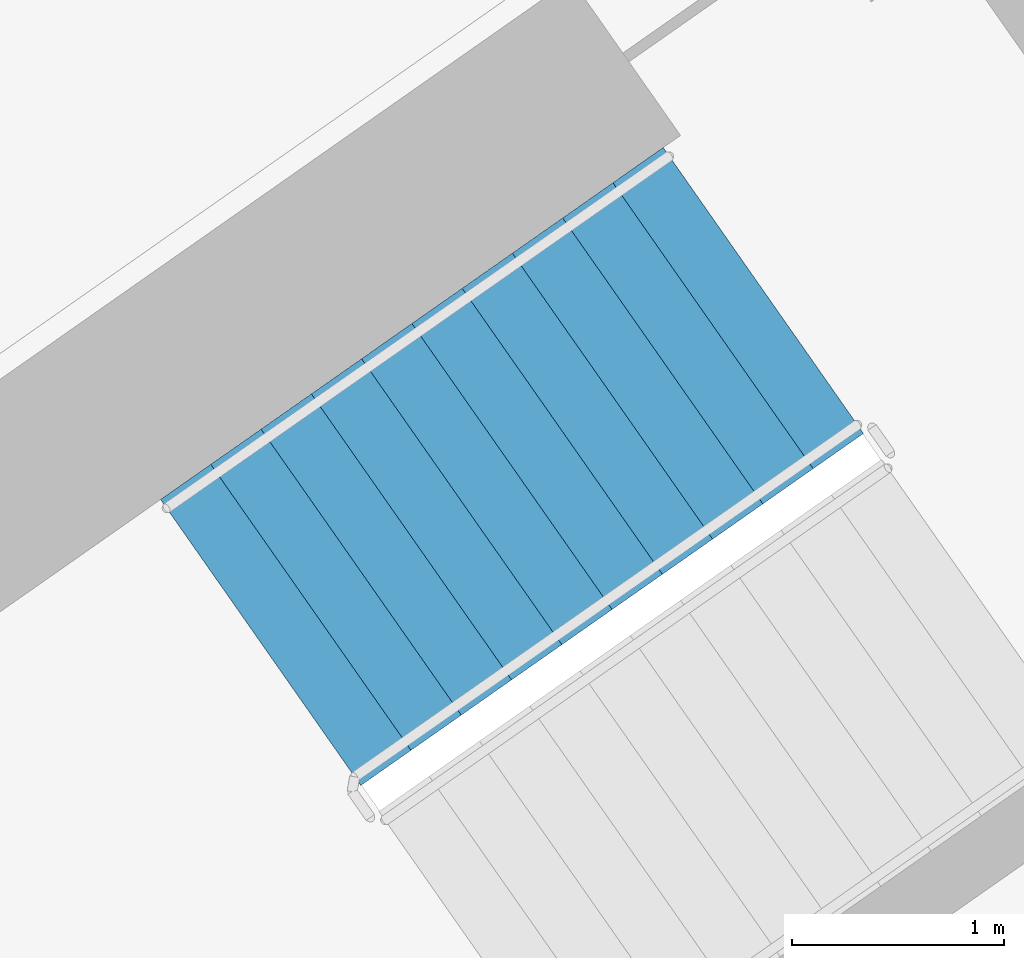
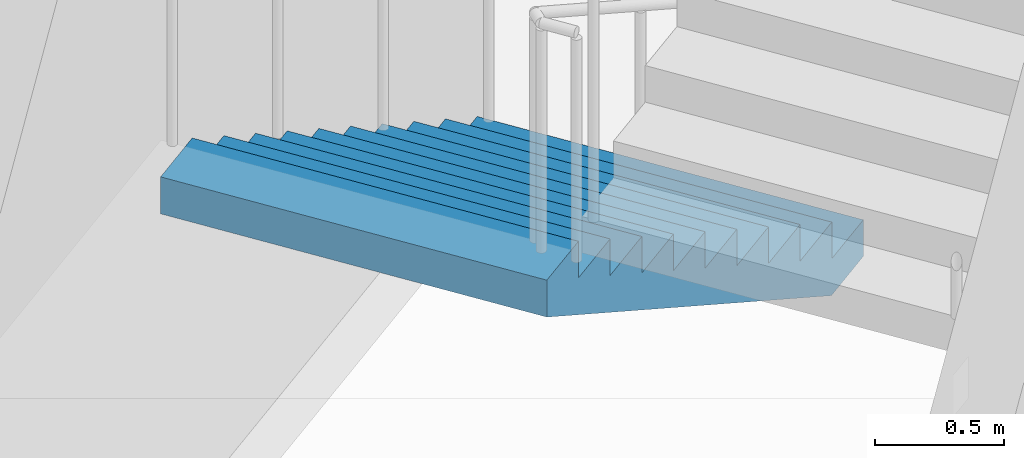
# One storey, part 15 of 29: 1 stair flight, 1 element without a shape of its own.
"""IFC4 building model written with IfcOpenShell, lengths in metres."""

from ifc_helpers import new_model, si_unit, direction, frame, origin, place, context, subcontext, project, spatial, faceted_brep, material, type_object, element, aggregate, save


model = new_model("IFC4")

# Units and contexts
model_context = context("Model", 3, precision=1e-05, world=origin(), true_north=direction((0.0, 1.0)))
body_context = subcontext(model_context, "Body", "Model", "MODEL_VIEW")
ifc_project = project(units=[si_unit("LENGTHUNIT", "METRE"), si_unit("AREAUNIT", "SQUARE_METRE"), si_unit("VOLUMEUNIT", "CUBIC_METRE"), si_unit("PLANEANGLEUNIT", "RADIAN"), si_unit("MASSUNIT", "GRAM", prefix="KILO")], contexts=[model_context])

# Site, building, storey
site_placement = place(None, origin())
site = spatial("IfcSite", under=ifc_project, at=site_placement, CompositionType="ELEMENT")
building_placement = place(site_placement, origin())
building = spatial("IfcBuilding", under=site, at=building_placement, Name="Qamariyya Broadcast Tower", CompositionType="ELEMENT")
storey_placement = place(building_placement, frame((0.0, 0.0, 106.300048828125)))
storey = spatial("IfcBuildingStorey", under=building, at=storey_placement, Name="L23", CompositionType="ELEMENT", Elevation=106.300048828125)

# Stair, stair flight
ifc_material = material(Name="Concrete C50/60", Category="concrete")
stair_type = type_object("IfcStairType", Name="Exit stair 22 risers of 173 mm", PredefinedType="HALF_TURN_STAIR", material=ifc_material)
stair_placement = place(storey_placement, origin())
stair = element("IfcStair", 1, at=stair_placement, inside=storey, type_object=stair_type, Name="L23 Stair E2", PredefinedType="HALF_TURN_STAIR")
stair_flight_type = type_object("IfcStairFlightType", Name="Exit stair flight 11 risers of 173 mm", PredefinedType="STRAIGHT", material=ifc_material)
stair_flight_placement = place(storey_placement, frame((40.558837890625, -47.685302734375, 0.0), z_axis=(0.0, 0.0, 1.0), x_axis=(-0.819152044289, -0.573576436351, 0.0)))
stair_flight = element("IfcStairFlight", 2, at=stair_flight_placement, type_object=stair_flight_type, Name="ST-E2 flight 1", NumberOfRisers=11, NumberOfTreads=10, PredefinedType="STRAIGHT", RiserHeight=0.172727273, TreadLength=0.29, context=body_context, shape_type="Brep", body=[
    faceted_brep([(0.0, 0.824951171875, 0.0), (0.0, 0.824951171875, 0.172607421875), (0.2900390625, 0.824951171875, 0.172607421875), (0.2900390625, 0.824951171875, 0.345458984375), (0.580078125, 0.824951171875, 0.345458984375), (0.580078125, 0.824951171875, 0.51806640625), (0.8701171875, 0.824951171875, 0.51806640625), (0.8701171875, 0.824951171875, 0.69091796875), (1.159912109375, 0.824951171875, 0.69091796875), (1.159912109375, 0.824951171875, 0.863525390625), (1.449951171875, 0.824951171875, 0.863525390625), (1.449951171875, 0.824951171875, 1.036376953125), (1.739990234375, 0.824951171875, 1.036376953125), (1.739990234375, 0.824951171875, 1.208984375), (2.030029296875, 0.824951171875, 1.208984375), (2.030029296875, 0.824951171875, 1.3818359375), (2.320068359375, 0.824951171875, 1.3818359375), (2.320068359375, 0.824951171875, 1.554443359375), (2.610107421875, 0.824951171875, 1.554443359375), (2.610107421875, 0.824951171875, 1.727294921875), (2.89990234375, 0.824951171875, 1.727294921875), (2.89990234375, 0.824951171875, 1.552734375), (0.29296875, 0.824951171875, 0.0), (0.29296875, -0.824951171875, 0.0), (2.89990234375, -0.824951171875, 1.552734375), (2.89990234375, -0.824951171875, 1.727294921875), (2.610107421875, -0.824951171875, 1.727294921875), (2.610107421875, -0.824951171875, 1.554443359375), (2.320068359375, -0.824951171875, 1.554443359375), (2.320068359375, -0.824951171875, 1.3818359375), (2.030029296875, -0.824951171875, 1.3818359375), (2.030029296875, -0.824951171875, 1.208984375), (1.739990234375, -0.824951171875, 1.208984375), (1.739990234375, -0.824951171875, 1.036376953125), (1.449951171875, -0.824951171875, 1.036376953125), (1.449951171875, -0.824951171875, 0.863525390625), (1.159912109375, -0.824951171875, 0.863525390625), (1.159912109375, -0.824951171875, 0.69091796875), (0.8701171875, -0.824951171875, 0.69091796875), (0.8701171875, -0.824951171875, 0.51806640625), (0.580078125, -0.824951171875, 0.51806640625), (0.580078125, -0.824951171875, 0.345458984375), (0.2900390625, -0.824951171875, 0.345458984375), (0.2900390625, -0.824951171875, 0.172607421875), (0.0, -0.824951171875, 0.172607421875), (0.0, -0.824951171875, 0.0), (0.0, 0.10009765625, 0.0), (0.0, 0.086669921875, 0.0), (0.0, 0.0732421875, 0.0), (0.0, 0.06005859375, 0.0), (0.0, 0.046630859375, 0.0), (0.0, 0.033447265625, 0.0), (0.0, 0.02001953125, 0.0), (0.0, 0.006591796875, 0.0), (0.0, -0.006591796875, 0.0), (0.0, -0.02001953125, 0.0), (0.0, -0.033447265625, 0.0), (0.0, -0.046630859375, 0.0), (0.0, -0.06005859375, 0.0), (0.0, -0.0732421875, 0.0), (0.0, -0.086669921875, 0.0), (0.0, -0.10009765625, 0.0), (0.0, -0.10009765625, 0.172607421875), (0.0, -0.086669921875, 0.172607421875), (0.0, -0.0732421875, 0.172607421875), (0.0, -0.06005859375, 0.172607421875), (0.0, -0.046630859375, 0.172607421875), (0.0, -0.033447265625, 0.172607421875), (0.0, -0.02001953125, 0.172607421875), (0.0, -0.006591796875, 0.172607421875), (0.0, 0.006591796875, 0.172607421875), (0.0, 0.02001953125, 0.172607421875), (0.0, 0.033447265625, 0.172607421875), (0.0, 0.046630859375, 0.172607421875), (0.0, 0.06005859375, 0.172607421875), (0.0, 0.0732421875, 0.172607421875), (0.0, 0.086669921875, 0.172607421875), (0.0, 0.10009765625, 0.172607421875), (0.2900390625, -0.10009765625, 0.172607421875), (0.2900390625, -0.086669921875, 0.172607421875), (0.2900390625, -0.0732421875, 0.172607421875), (0.2900390625, -0.06005859375, 0.172607421875), (0.2900390625, -0.046630859375, 0.172607421875), (0.2900390625, -0.033447265625, 0.172607421875), (0.2900390625, -0.02001953125, 0.172607421875), (0.2900390625, -0.006591796875, 0.172607421875), (0.2900390625, 0.006591796875, 0.172607421875), (0.2900390625, 0.02001953125, 0.172607421875), (0.2900390625, 0.033447265625, 0.172607421875), (0.2900390625, 0.046630859375, 0.172607421875), (0.2900390625, 0.06005859375, 0.172607421875), (0.2900390625, 0.0732421875, 0.172607421875), (0.2900390625, 0.086669921875, 0.172607421875), (0.2900390625, 0.10009765625, 0.172607421875), (0.2900390625, -0.10009765625, 0.345458984375), (0.2900390625, -0.086669921875, 0.345458984375), (0.2900390625, -0.0732421875, 0.345458984375), (0.2900390625, -0.06005859375, 0.345458984375), (0.2900390625, -0.046630859375, 0.345458984375), (0.2900390625, -0.033447265625, 0.345458984375), (0.2900390625, -0.02001953125, 0.345458984375), (0.2900390625, -0.006591796875, 0.345458984375), (0.2900390625, 0.006591796875, 0.345458984375), (0.2900390625, 0.02001953125, 0.345458984375), (0.2900390625, 0.033447265625, 0.345458984375), (0.2900390625, 0.046630859375, 0.345458984375), (0.2900390625, 0.06005859375, 0.345458984375), (0.2900390625, 0.0732421875, 0.345458984375), (0.2900390625, 0.086669921875, 0.345458984375), (0.2900390625, 0.10009765625, 0.345458984375), (0.580078125, -0.10009765625, 0.345458984375), (0.580078125, -0.086669921875, 0.345458984375), (0.580078125, -0.0732421875, 0.345458984375), (0.580078125, -0.06005859375, 0.345458984375), (0.580078125, -0.046630859375, 0.345458984375), (0.580078125, -0.033447265625, 0.345458984375), (0.580078125, -0.02001953125, 0.345458984375), (0.580078125, -0.006591796875, 0.345458984375), (0.580078125, 0.006591796875, 0.345458984375), (0.580078125, 0.02001953125, 0.345458984375), (0.580078125, 0.033447265625, 0.345458984375), (0.580078125, 0.046630859375, 0.345458984375), (0.580078125, 0.06005859375, 0.345458984375), (0.580078125, 0.0732421875, 0.345458984375), (0.580078125, 0.086669921875, 0.345458984375), (0.580078125, 0.10009765625, 0.345458984375), (0.580078125, -0.10009765625, 0.51806640625), (0.580078125, -0.086669921875, 0.51806640625), (0.580078125, -0.0732421875, 0.51806640625), (0.580078125, -0.06005859375, 0.51806640625), (0.580078125, -0.046630859375, 0.51806640625), (0.580078125, -0.033447265625, 0.51806640625), (0.580078125, -0.02001953125, 0.51806640625), (0.580078125, -0.006591796875, 0.51806640625), (0.580078125, 0.006591796875, 0.51806640625), (0.580078125, 0.02001953125, 0.51806640625), (0.580078125, 0.033447265625, 0.51806640625), (0.580078125, 0.046630859375, 0.51806640625), (0.580078125, 0.06005859375, 0.51806640625), (0.580078125, 0.0732421875, 0.51806640625), (0.580078125, 0.086669921875, 0.51806640625), (0.580078125, 0.10009765625, 0.51806640625), (0.8701171875, -0.10009765625, 0.51806640625), (0.8701171875, -0.086669921875, 0.51806640625), (0.8701171875, -0.0732421875, 0.51806640625), (0.8701171875, -0.06005859375, 0.51806640625), (0.8701171875, -0.046630859375, 0.51806640625), (0.8701171875, -0.033447265625, 0.51806640625), (0.8701171875, -0.02001953125, 0.51806640625), (0.8701171875, -0.006591796875, 0.51806640625), (0.8701171875, 0.006591796875, 0.51806640625), (0.8701171875, 0.02001953125, 0.51806640625), (0.8701171875, 0.033447265625, 0.51806640625), (0.8701171875, 0.046630859375, 0.51806640625), (0.8701171875, 0.06005859375, 0.51806640625), (0.8701171875, 0.0732421875, 0.51806640625), (0.8701171875, 0.086669921875, 0.51806640625), (0.8701171875, 0.10009765625, 0.51806640625), (0.8701171875, -0.10009765625, 0.69091796875), (0.8701171875, -0.086669921875, 0.69091796875), (0.8701171875, -0.0732421875, 0.69091796875), (0.8701171875, -0.06005859375, 0.69091796875), (0.8701171875, -0.046630859375, 0.69091796875), (0.8701171875, -0.033447265625, 0.69091796875), (0.8701171875, -0.02001953125, 0.69091796875), (0.8701171875, -0.006591796875, 0.69091796875), (0.8701171875, 0.006591796875, 0.69091796875), (0.8701171875, 0.02001953125, 0.69091796875), (0.8701171875, 0.033447265625, 0.69091796875), (0.8701171875, 0.046630859375, 0.69091796875), (0.8701171875, 0.06005859375, 0.69091796875), (0.8701171875, 0.0732421875, 0.69091796875), (0.8701171875, 0.086669921875, 0.69091796875), (0.8701171875, 0.10009765625, 0.69091796875), (1.159912109375, -0.10009765625, 0.69091796875), (1.159912109375, -0.086669921875, 0.69091796875), (1.159912109375, -0.0732421875, 0.69091796875), (1.159912109375, -0.06005859375, 0.69091796875), (1.159912109375, -0.046630859375, 0.69091796875), (1.159912109375, -0.033447265625, 0.69091796875), (1.159912109375, -0.02001953125, 0.69091796875), (1.159912109375, -0.006591796875, 0.69091796875), (1.159912109375, 0.006591796875, 0.69091796875), (1.159912109375, 0.02001953125, 0.69091796875), (1.159912109375, 0.033447265625, 0.69091796875), (1.159912109375, 0.046630859375, 0.69091796875), (1.159912109375, 0.06005859375, 0.69091796875), (1.159912109375, 0.0732421875, 0.69091796875), (1.159912109375, 0.086669921875, 0.69091796875), (1.159912109375, 0.10009765625, 0.69091796875), (1.159912109375, -0.10009765625, 0.863525390625), (1.159912109375, -0.086669921875, 0.863525390625), (1.159912109375, -0.0732421875, 0.863525390625), (1.159912109375, -0.06005859375, 0.863525390625), (1.159912109375, -0.046630859375, 0.863525390625), (1.159912109375, -0.033447265625, 0.863525390625), (1.159912109375, -0.02001953125, 0.863525390625), (1.159912109375, -0.006591796875, 0.863525390625), (1.159912109375, 0.006591796875, 0.863525390625), (1.159912109375, 0.02001953125, 0.863525390625), (1.159912109375, 0.033447265625, 0.863525390625), (1.159912109375, 0.046630859375, 0.863525390625), (1.159912109375, 0.06005859375, 0.863525390625), (1.159912109375, 0.0732421875, 0.863525390625), (1.159912109375, 0.086669921875, 0.863525390625), (1.159912109375, 0.10009765625, 0.863525390625), (1.449951171875, -0.10009765625, 0.863525390625), (1.449951171875, -0.086669921875, 0.863525390625), (1.449951171875, -0.0732421875, 0.863525390625), (1.449951171875, -0.06005859375, 0.863525390625), (1.449951171875, -0.046630859375, 0.863525390625), (1.449951171875, -0.033447265625, 0.863525390625), (1.449951171875, -0.02001953125, 0.863525390625), (1.449951171875, -0.006591796875, 0.863525390625), (1.449951171875, 0.006591796875, 0.863525390625), (1.449951171875, 0.02001953125, 0.863525390625), (1.449951171875, 0.033447265625, 0.863525390625), (1.449951171875, 0.046630859375, 0.863525390625), (1.449951171875, 0.06005859375, 0.863525390625), (1.449951171875, 0.0732421875, 0.863525390625), (1.449951171875, 0.086669921875, 0.863525390625), (1.449951171875, 0.10009765625, 0.863525390625), (1.449951171875, -0.10009765625, 1.036376953125), (1.449951171875, -0.086669921875, 1.036376953125), (1.449951171875, -0.0732421875, 1.036376953125), (1.449951171875, -0.06005859375, 1.036376953125), (1.449951171875, -0.046630859375, 1.036376953125), (1.449951171875, -0.033447265625, 1.036376953125), (1.449951171875, -0.02001953125, 1.036376953125), (1.449951171875, -0.006591796875, 1.036376953125), (1.449951171875, 0.006591796875, 1.036376953125), (1.449951171875, 0.02001953125, 1.036376953125), (1.449951171875, 0.033447265625, 1.036376953125), (1.449951171875, 0.046630859375, 1.036376953125), (1.449951171875, 0.06005859375, 1.036376953125), (1.449951171875, 0.0732421875, 1.036376953125), (1.449951171875, 0.086669921875, 1.036376953125), (1.449951171875, 0.10009765625, 1.036376953125), (1.739990234375, -0.10009765625, 1.036376953125), (1.739990234375, -0.086669921875, 1.036376953125), (1.739990234375, -0.0732421875, 1.036376953125), (1.739990234375, -0.06005859375, 1.036376953125), (1.739990234375, -0.046630859375, 1.036376953125), (1.739990234375, -0.033447265625, 1.036376953125), (1.739990234375, -0.02001953125, 1.036376953125), (1.739990234375, -0.006591796875, 1.036376953125), (1.739990234375, 0.006591796875, 1.036376953125), (1.739990234375, 0.02001953125, 1.036376953125), (1.739990234375, 0.033447265625, 1.036376953125), (1.739990234375, 0.046630859375, 1.036376953125), (1.739990234375, 0.06005859375, 1.036376953125), (1.739990234375, 0.0732421875, 1.036376953125), (1.739990234375, 0.086669921875, 1.036376953125), (1.739990234375, 0.10009765625, 1.036376953125), (1.739990234375, -0.10009765625, 1.208984375), (1.739990234375, -0.086669921875, 1.208984375), (1.739990234375, -0.0732421875, 1.208984375), (1.739990234375, -0.06005859375, 1.208984375), (1.739990234375, -0.046630859375, 1.208984375), (1.739990234375, -0.033447265625, 1.208984375), (1.739990234375, -0.02001953125, 1.208984375), (1.739990234375, -0.006591796875, 1.208984375), (1.739990234375, 0.006591796875, 1.208984375), (1.739990234375, 0.02001953125, 1.208984375), (1.739990234375, 0.033447265625, 1.208984375), (1.739990234375, 0.046630859375, 1.208984375), (1.739990234375, 0.06005859375, 1.208984375), (1.739990234375, 0.0732421875, 1.208984375), (1.739990234375, 0.086669921875, 1.208984375), (1.739990234375, 0.10009765625, 1.208984375), (2.030029296875, -0.10009765625, 1.208984375), (2.030029296875, -0.086669921875, 1.208984375), (2.030029296875, -0.0732421875, 1.208984375), (2.030029296875, -0.06005859375, 1.208984375), (2.030029296875, -0.046630859375, 1.208984375), (2.030029296875, -0.033447265625, 1.208984375), (2.030029296875, -0.02001953125, 1.208984375), (2.030029296875, -0.006591796875, 1.208984375), (2.030029296875, 0.006591796875, 1.208984375), (2.030029296875, 0.02001953125, 1.208984375), (2.030029296875, 0.033447265625, 1.208984375), (2.030029296875, 0.046630859375, 1.208984375), (2.030029296875, 0.06005859375, 1.208984375), (2.030029296875, 0.0732421875, 1.208984375), (2.030029296875, 0.086669921875, 1.208984375), (2.030029296875, 0.10009765625, 1.208984375), (2.030029296875, -0.10009765625, 1.3818359375), (2.030029296875, -0.086669921875, 1.3818359375), (2.030029296875, -0.0732421875, 1.3818359375), (2.030029296875, -0.06005859375, 1.3818359375), (2.030029296875, -0.046630859375, 1.3818359375), (2.030029296875, -0.033447265625, 1.3818359375), (2.030029296875, -0.02001953125, 1.3818359375), (2.030029296875, -0.006591796875, 1.3818359375), (2.030029296875, 0.006591796875, 1.3818359375), (2.030029296875, 0.02001953125, 1.3818359375), (2.030029296875, 0.033447265625, 1.3818359375), (2.030029296875, 0.046630859375, 1.3818359375), (2.030029296875, 0.06005859375, 1.3818359375), (2.030029296875, 0.0732421875, 1.3818359375), (2.030029296875, 0.086669921875, 1.3818359375), (2.030029296875, 0.10009765625, 1.3818359375), (2.320068359375, -0.10009765625, 1.3818359375), (2.320068359375, -0.086669921875, 1.3818359375), (2.320068359375, -0.0732421875, 1.3818359375), (2.320068359375, -0.06005859375, 1.3818359375), (2.320068359375, -0.046630859375, 1.3818359375), (2.320068359375, -0.033447265625, 1.3818359375), (2.320068359375, -0.02001953125, 1.3818359375), (2.320068359375, -0.006591796875, 1.3818359375), (2.320068359375, 0.006591796875, 1.3818359375), (2.320068359375, 0.02001953125, 1.3818359375), (2.320068359375, 0.033447265625, 1.3818359375), (2.320068359375, 0.046630859375, 1.3818359375), (2.320068359375, 0.06005859375, 1.3818359375), (2.320068359375, 0.0732421875, 1.3818359375), (2.320068359375, 0.086669921875, 1.3818359375), (2.320068359375, 0.10009765625, 1.3818359375), (2.320068359375, -0.10009765625, 1.554443359375), (2.320068359375, -0.086669921875, 1.554443359375), (2.320068359375, -0.0732421875, 1.554443359375), (2.320068359375, -0.06005859375, 1.554443359375), (2.320068359375, -0.046630859375, 1.554443359375), (2.320068359375, -0.033447265625, 1.554443359375), (2.320068359375, -0.02001953125, 1.554443359375), (2.320068359375, -0.006591796875, 1.554443359375), (2.320068359375, 0.006591796875, 1.554443359375), (2.320068359375, 0.02001953125, 1.554443359375), (2.320068359375, 0.033447265625, 1.554443359375), (2.320068359375, 0.046630859375, 1.554443359375), (2.320068359375, 0.06005859375, 1.554443359375), (2.320068359375, 0.0732421875, 1.554443359375), (2.320068359375, 0.086669921875, 1.554443359375), (2.320068359375, 0.10009765625, 1.554443359375), (2.610107421875, -0.10009765625, 1.554443359375), (2.610107421875, -0.086669921875, 1.554443359375), (2.610107421875, -0.0732421875, 1.554443359375), (2.610107421875, -0.06005859375, 1.554443359375), (2.610107421875, -0.046630859375, 1.554443359375), (2.610107421875, -0.033447265625, 1.554443359375), (2.610107421875, -0.02001953125, 1.554443359375), (2.610107421875, -0.006591796875, 1.554443359375), (2.610107421875, 0.006591796875, 1.554443359375), (2.610107421875, 0.02001953125, 1.554443359375), (2.610107421875, 0.033447265625, 1.554443359375), (2.610107421875, 0.046630859375, 1.554443359375), (2.610107421875, 0.06005859375, 1.554443359375), (2.610107421875, 0.0732421875, 1.554443359375), (2.610107421875, 0.086669921875, 1.554443359375), (2.610107421875, 0.10009765625, 1.554443359375), (2.610107421875, -0.10009765625, 1.727294921875), (2.610107421875, -0.086669921875, 1.727294921875), (2.610107421875, -0.0732421875, 1.727294921875), (2.610107421875, -0.06005859375, 1.727294921875), (2.610107421875, -0.046630859375, 1.727294921875), (2.610107421875, -0.033447265625, 1.727294921875), (2.610107421875, -0.02001953125, 1.727294921875), (2.610107421875, -0.006591796875, 1.727294921875), (2.610107421875, 0.006591796875, 1.727294921875), (2.610107421875, 0.02001953125, 1.727294921875), (2.610107421875, 0.033447265625, 1.727294921875), (2.610107421875, 0.046630859375, 1.727294921875), (2.610107421875, 0.06005859375, 1.727294921875), (2.610107421875, 0.0732421875, 1.727294921875), (2.610107421875, 0.086669921875, 1.727294921875), (2.610107421875, 0.10009765625, 1.727294921875), (2.89990234375, -0.10009765625, 1.727294921875), (2.89990234375, -0.086669921875, 1.727294921875), (2.89990234375, -0.0732421875, 1.727294921875), (2.89990234375, -0.06005859375, 1.727294921875), (2.89990234375, -0.046630859375, 1.727294921875), (2.89990234375, -0.033447265625, 1.727294921875), (2.89990234375, -0.02001953125, 1.727294921875), (2.89990234375, -0.006591796875, 1.727294921875), (2.89990234375, 0.006591796875, 1.727294921875), (2.89990234375, 0.02001953125, 1.727294921875), (2.89990234375, 0.033447265625, 1.727294921875), (2.89990234375, 0.046630859375, 1.727294921875), (2.89990234375, 0.06005859375, 1.727294921875), (2.89990234375, 0.0732421875, 1.727294921875), (2.89990234375, 0.086669921875, 1.727294921875), (2.89990234375, 0.10009765625, 1.727294921875), (2.89990234375, -0.10009765625, 1.552734375), (2.89990234375, -0.086669921875, 1.552734375), (2.89990234375, -0.0732421875, 1.552734375), (2.89990234375, -0.06005859375, 1.552734375), (2.89990234375, -0.046630859375, 1.552734375), (2.89990234375, -0.033447265625, 1.552734375), (2.89990234375, -0.02001953125, 1.552734375), (2.89990234375, -0.006591796875, 1.552734375), (2.89990234375, 0.006591796875, 1.552734375), (2.89990234375, 0.02001953125, 1.552734375), (2.89990234375, 0.033447265625, 1.552734375), (2.89990234375, 0.046630859375, 1.552734375), (2.89990234375, 0.06005859375, 1.552734375), (2.89990234375, 0.0732421875, 1.552734375), (2.89990234375, 0.086669921875, 1.552734375), (2.89990234375, 0.10009765625, 1.552734375), (0.29296875, -0.10009765625, 0.0), (0.29296875, -0.086669921875, 0.0), (0.29296875, -0.0732421875, 0.0), (0.29296875, -0.06005859375, 0.0), (0.29296875, -0.046630859375, 0.0), (0.29296875, -0.033447265625, 0.0), (0.29296875, -0.02001953125, 0.0), (0.29296875, -0.006591796875, 0.0), (0.29296875, 0.006591796875, 0.0), (0.29296875, 0.02001953125, 0.0), (0.29296875, 0.033447265625, 0.0), (0.29296875, 0.046630859375, 0.0), (0.29296875, 0.06005859375, 0.0), (0.29296875, 0.0732421875, 0.0), (0.29296875, 0.086669921875, 0.0), (0.29296875, 0.10009765625, 0.0)], [[[0, 1, 2, 3, 4, 5, 6, 7, 8, 9, 10, 11, 12, 13, 14, 15, 16, 17, 18, 19, 20, 21, 22]], [[23, 24, 25, 26, 27, 28, 29, 30, 31, 32, 33, 34, 35, 36, 37, 38, 39, 40, 41, 42, 43, 44, 45]], [[0, 46, 47, 48, 49, 50, 51, 52, 53, 54, 55, 56, 57, 58, 59, 60, 61, 45, 44, 62, 63, 64, 65, 66, 67, 68, 69, 70, 71, 72, 73, 74, 75, 76, 77, 1]], [[1, 77, 76, 75, 74, 73, 72, 71, 70, 69, 68, 67, 66, 65, 64, 63, 62, 44, 43, 78, 79, 80, 81, 82, 83, 84, 85, 86, 87, 88, 89, 90, 91, 92, 93, 2]], [[2, 93, 92, 91, 90, 89, 88, 87, 86, 85, 84, 83, 82, 81, 80, 79, 78, 43, 42, 94, 95, 96, 97, 98, 99, 100, 101, 102, 103, 104, 105, 106, 107, 108, 109, 3]], [[3, 109, 108, 107, 106, 105, 104, 103, 102, 101, 100, 99, 98, 97, 96, 95, 94, 42, 41, 110, 111, 112, 113, 114, 115, 116, 117, 118, 119, 120, 121, 122, 123, 124, 125, 4]], [[4, 125, 124, 123, 122, 121, 120, 119, 118, 117, 116, 115, 114, 113, 112, 111, 110, 41, 40, 126, 127, 128, 129, 130, 131, 132, 133, 134, 135, 136, 137, 138, 139, 140, 141, 5]], [[5, 141, 140, 139, 138, 137, 136, 135, 134, 133, 132, 131, 130, 129, 128, 127, 126, 40, 39, 142, 143, 144, 145, 146, 147, 148, 149, 150, 151, 152, 153, 154, 155, 156, 157, 6]], [[6, 157, 156, 155, 154, 153, 152, 151, 150, 149, 148, 147, 146, 145, 144, 143, 142, 39, 38, 158, 159, 160, 161, 162, 163, 164, 165, 166, 167, 168, 169, 170, 171, 172, 173, 7]], [[7, 173, 172, 171, 170, 169, 168, 167, 166, 165, 164, 163, 162, 161, 160, 159, 158, 38, 37, 174, 175, 176, 177, 178, 179, 180, 181, 182, 183, 184, 185, 186, 187, 188, 189, 8]], [[8, 189, 188, 187, 186, 185, 184, 183, 182, 181, 180, 179, 178, 177, 176, 175, 174, 37, 36, 190, 191, 192, 193, 194, 195, 196, 197, 198, 199, 200, 201, 202, 203, 204, 205, 9]], [[9, 205, 204, 203, 202, 201, 200, 199, 198, 197, 196, 195, 194, 193, 192, 191, 190, 36, 35, 206, 207, 208, 209, 210, 211, 212, 213, 214, 215, 216, 217, 218, 219, 220, 221, 10]], [[10, 221, 220, 219, 218, 217, 216, 215, 214, 213, 212, 211, 210, 209, 208, 207, 206, 35, 34, 222, 223, 224, 225, 226, 227, 228, 229, 230, 231, 232, 233, 234, 235, 236, 237, 11]], [[11, 237, 236, 235, 234, 233, 232, 231, 230, 229, 228, 227, 226, 225, 224, 223, 222, 34, 33, 238, 239, 240, 241, 242, 243, 244, 245, 246, 247, 248, 249, 250, 251, 252, 253, 12]], [[12, 253, 252, 251, 250, 249, 248, 247, 246, 245, 244, 243, 242, 241, 240, 239, 238, 33, 32, 254, 255, 256, 257, 258, 259, 260, 261, 262, 263, 264, 265, 266, 267, 268, 269, 13]], [[13, 269, 268, 267, 266, 265, 264, 263, 262, 261, 260, 259, 258, 257, 256, 255, 254, 32, 31, 270, 271, 272, 273, 274, 275, 276, 277, 278, 279, 280, 281, 282, 283, 284, 285, 14]], [[14, 285, 284, 283, 282, 281, 280, 279, 278, 277, 276, 275, 274, 273, 272, 271, 270, 31, 30, 286, 287, 288, 289, 290, 291, 292, 293, 294, 295, 296, 297, 298, 299, 300, 301, 15]], [[15, 301, 300, 299, 298, 297, 296, 295, 294, 293, 292, 291, 290, 289, 288, 287, 286, 30, 29, 302, 303, 304, 305, 306, 307, 308, 309, 310, 311, 312, 313, 314, 315, 316, 317, 16]], [[16, 317, 316, 315, 314, 313, 312, 311, 310, 309, 308, 307, 306, 305, 304, 303, 302, 29, 28, 318, 319, 320, 321, 322, 323, 324, 325, 326, 327, 328, 329, 330, 331, 332, 333, 17]], [[17, 333, 332, 331, 330, 329, 328, 327, 326, 325, 324, 323, 322, 321, 320, 319, 318, 28, 27, 334, 335, 336, 337, 338, 339, 340, 341, 342, 343, 344, 345, 346, 347, 348, 349, 18]], [[18, 349, 348, 347, 346, 345, 344, 343, 342, 341, 340, 339, 338, 337, 336, 335, 334, 27, 26, 350, 351, 352, 353, 354, 355, 356, 357, 358, 359, 360, 361, 362, 363, 364, 365, 19]], [[19, 365, 364, 363, 362, 361, 360, 359, 358, 357, 356, 355, 354, 353, 352, 351, 350, 26, 25, 366, 367, 368, 369, 370, 371, 372, 373, 374, 375, 376, 377, 378, 379, 380, 381, 20]], [[20, 381, 380, 379, 378, 377, 376, 375, 374, 373, 372, 371, 370, 369, 368, 367, 366, 25, 24, 382, 383, 384, 385, 386, 387, 388, 389, 390, 391, 392, 393, 394, 395, 396, 397, 21]], [[21, 397, 396, 395, 394, 393, 392, 391, 390, 389, 388, 387, 386, 385, 384, 383, 382, 24, 23, 398, 399, 400, 401, 402, 403, 404, 405, 406, 407, 408, 409, 410, 411, 412, 413, 22]], [[22, 413, 412, 411, 410, 409, 408, 407, 406, 405, 404, 403, 402, 401, 400, 399, 398, 23, 45, 61, 60, 59, 58, 57, 56, 55, 54, 53, 52, 51, 50, 49, 48, 47, 46, 0]]]),
])
aggregate(stair, [stair_flight])

save(model, "model.ifc")
